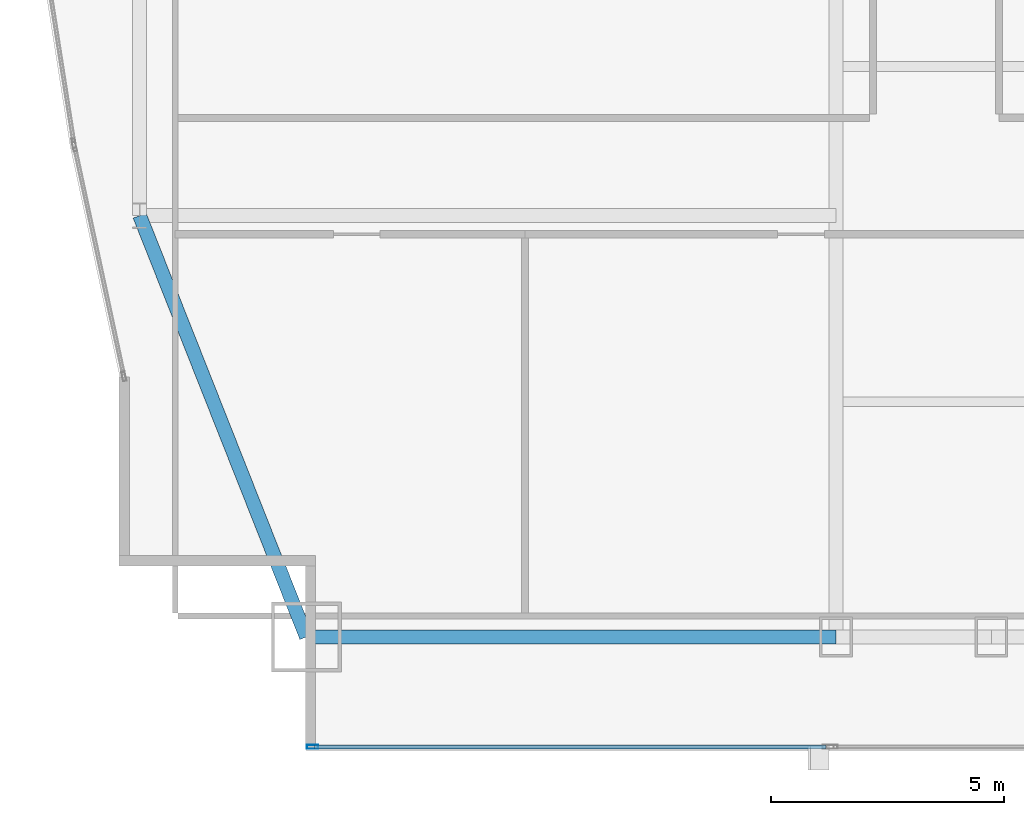
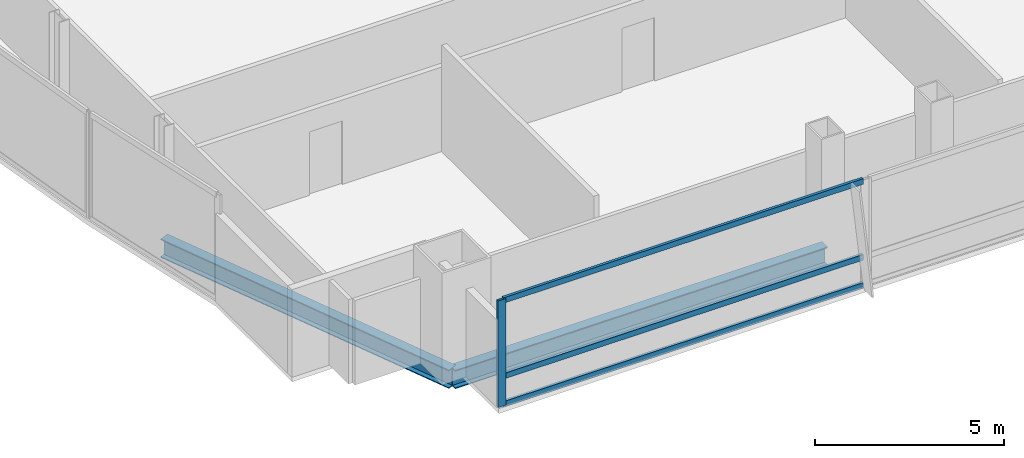
# One storey, part 5 of 32: 4 members, 2 beams, 1 element without a shape of its own.
"""IFC4 building model written with IfcOpenShell, lengths in metres."""

from ifc_helpers import new_model, si_unit, direction, frame, origin, origin_2d, place, context, subcontext, project, spatial, hollow_rectangle, i_section, extrude, material, material_profile, profile_set, type_object, element, aggregate, save


model = new_model("IFC4")

# Units and contexts
model_context = context("Model", 3, precision=1e-05, world=origin(), true_north=direction((0.0, 1.0)))
body_context = subcontext(model_context, "Body", "Model", "MODEL_VIEW")
ifc_project = project(units=[si_unit("LENGTHUNIT", "METRE"), si_unit("AREAUNIT", "SQUARE_METRE"), si_unit("VOLUMEUNIT", "CUBIC_METRE"), si_unit("PLANEANGLEUNIT", "RADIAN"), si_unit("MASSUNIT", "GRAM", prefix="KILO")], contexts=[model_context])

# Site, building, storey
site_placement = place(None, origin())
site = spatial("IfcSite", under=ifc_project, at=site_placement, CompositionType="ELEMENT")
building_placement = place(site_placement, origin())
building = spatial("IfcBuilding", under=site, at=building_placement, Name="Khoronbel Lancet Exchange", CompositionType="ELEMENT")
storey_placement = place(building_placement, frame((0.0, 0.0, 111.0)))
storey = spatial("IfcBuildingStorey", under=building, at=storey_placement, Name="L26", CompositionType="ELEMENT", Elevation=111.0)

# Beams
ifc_material_1 = material(Name="Steel S355", Category="steel")
ifc_material_profile_1 = material_profile(ifc_material_1, i_section(OverallWidth=0.300048828125, OverallDepth=0.60009765625, WebThickness=0.015380859375, FlangeThickness=0.030029296875, at=origin_2d()), Name="HEB 600")
ifc_profile_set_1 = profile_set([ifc_material_profile_1], Name="Steel S355")
beam_type = type_object("IfcBeamType", Name="BM-BSP2", PredefinedType="SPANDREL", material=ifc_profile_set_1)
beam_1_placement = place(storey_placement, frame((6.85009765625, 10.14990234375, -0.4599609375), z_axis=(1.0, 0.0, 0.0), x_axis=(0.0, 1.0, 0.0)))
element("IfcBeam", 1, at=beam_1_placement, inside=storey, type_object=beam_type, Name="Level L26 perimeter spandrel beam SP01", PredefinedType="SPANDREL", context=body_context, shape_type="SweptSolid", body=[
    extrude(i_section(OverallWidth=0.300048828125, OverallDepth=0.60009765625, WebThickness=0.015380859375, FlangeThickness=0.030029296875, at=origin_2d()), origin(), (0.0, 0.0, 1.0), 11.375),
])
beam_2_placement = place(storey_placement, frame((3.27001953125, 19.199951171875, -0.4599609375), z_axis=(0.367850095026, -0.92988510451, 0.0), x_axis=(0.92988510451, 0.367850095026, 0.0)))
element("IfcBeam", 2, at=beam_2_placement, inside=storey, type_object=beam_type, Name="Level L26 perimeter spandrel beam SP21", PredefinedType="SPANDREL", context=body_context, shape_type="SweptSolid", body=[
    extrude(i_section(OverallWidth=0.300048828125, OverallDepth=0.60009765625, WebThickness=0.015380859375, FlangeThickness=0.030029296875, at=origin_2d()), origin(), (0.0, 0.0, 1.0), 9.732421875),
])

# Curtain wall, members
ifc_material_2 = material(Name="Low-E Solar Control Insulating Glass", Category="glass")
curtain_wall_type = type_object("IfcCurtainWallType", Name="CW-2", PredefinedType="NOTDEFINED", material=ifc_material_2)
curtain_wall_placement = place(storey_placement, origin())
curtain_wall = element("IfcCurtainWall", 3, at=curtain_wall_placement, inside=storey, type_object=curtain_wall_type, Name="Unitised curtain wall CW-L26-SWV", PredefinedType="NOTDEFINED")
ifc_material_3 = material(Name="Bronze-Anodised Aluminium 6063-T6", Category="aluminium")
ifc_material_profile_2 = material_profile(ifc_material_3, hollow_rectangle(XDim=0.0849609375, YDim=0.239990234375, WallThickness=0.006103515625, at=origin_2d()), Name="ALU MULLION 85x240")
ifc_profile_set_2 = profile_set([ifc_material_profile_2], Name="Bronze-Anodised Aluminium 6063-T6")
member_type_1 = type_object("IfcMemberType", Name="MEM-CWM1", PredefinedType="MULLION", material=ifc_profile_set_2)
member_1_placement = place(storey_placement, frame((6.982421875, 7.7900390625, 0.0), z_axis=(0.0, 0.0, 1.0), x_axis=(0.0, 1.0, 0.0)))
member_1 = element("IfcMember", 4, at=member_1_placement, type_object=member_type_1, Name="CW2 mullion 1", PredefinedType="MULLION", context=body_context, shape_type="SweptSolid", body=[
    extrude(hollow_rectangle(XDim=0.0849609375, YDim=0.239990234375, WallThickness=0.006103515625, at=origin_2d()), origin(), (0.0, 0.0, 1.0), 3.43994140625),
])
ifc_material_profile_3 = material_profile(ifc_material_3, hollow_rectangle(XDim=0.0849609375, YDim=0.179931640625, WallThickness=0.0048828125, at=origin_2d()), Name="ALU TRANSOM 85x180")
ifc_profile_set_3 = profile_set([ifc_material_profile_3], Name="Bronze-Anodised Aluminium 6063-T6")
member_type_2 = type_object("IfcMemberType", Name="MEM-CWT1", PredefinedType="USERDEFINED", material=ifc_profile_set_3)
member_2_placement = place(storey_placement, frame((7.02490234375, 7.7900390625, 0.04248046875), z_axis=(1.0, 0.0, 0.0), x_axis=(0.0, 1.0, 0.0)))
member_2 = element("IfcMember", 5, at=member_2_placement, type_object=member_type_2, Name="CW2 transom 1.1", ObjectType="TRANSOM", PredefinedType="USERDEFINED", context=body_context, shape_type="SweptSolid", body=[
    extrude(hollow_rectangle(XDim=0.0849609375, YDim=0.179931640625, WallThickness=0.0048828125, at=origin_2d()), origin(), (0.0, 0.0, 1.0), 10.989990234375),
])
member_3_placement = place(storey_placement, frame((7.02490234375, 7.7900390625, 0.949951171875), z_axis=(1.0, 0.0, 0.0), x_axis=(0.0, 1.0, 0.0)))
member_3 = element("IfcMember", 6, at=member_3_placement, type_object=member_type_2, Name="CW2 transom 1.2", ObjectType="TRANSOM", PredefinedType="USERDEFINED", context=body_context, shape_type="SweptSolid", body=[
    extrude(hollow_rectangle(XDim=0.0849609375, YDim=0.179931640625, WallThickness=0.0048828125, at=origin_2d()), origin(), (0.0, 0.0, 1.0), 10.989990234375),
])
member_4_placement = place(storey_placement, frame((7.02490234375, 7.7900390625, 3.3974609375), z_axis=(1.0, 0.0, 0.0), x_axis=(0.0, 1.0, 0.0)))
member_4 = element("IfcMember", 7, at=member_4_placement, type_object=member_type_2, Name="CW2 transom 1.3", ObjectType="TRANSOM", PredefinedType="USERDEFINED", context=body_context, shape_type="SweptSolid", body=[
    extrude(hollow_rectangle(XDim=0.0849609375, YDim=0.179931640625, WallThickness=0.0048828125, at=origin_2d()), origin(), (0.0, 0.0, 1.0), 10.989990234375),
])
aggregate(curtain_wall, [member_1, member_2, member_3, member_4])

save(model, "model.ifc")
